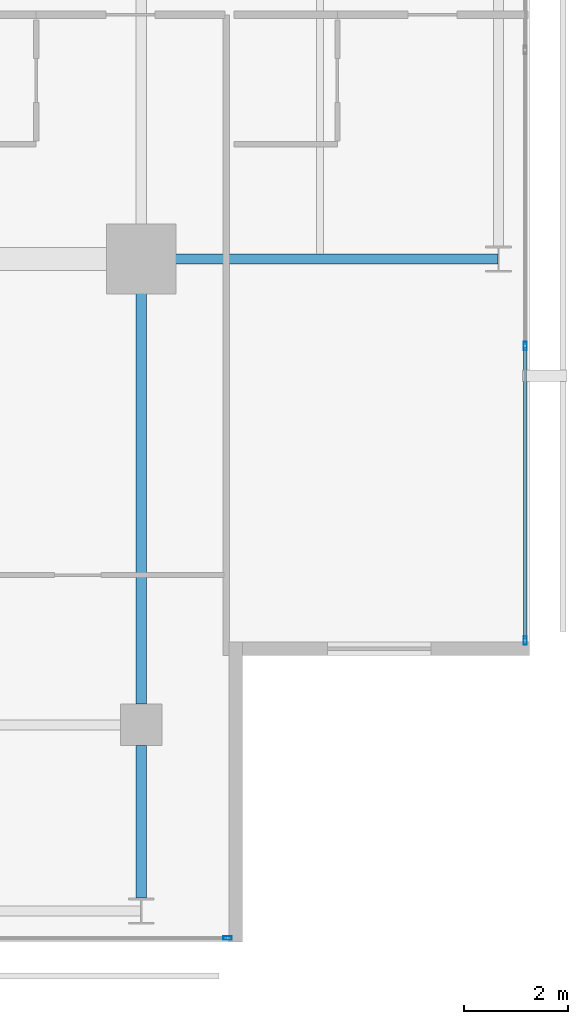
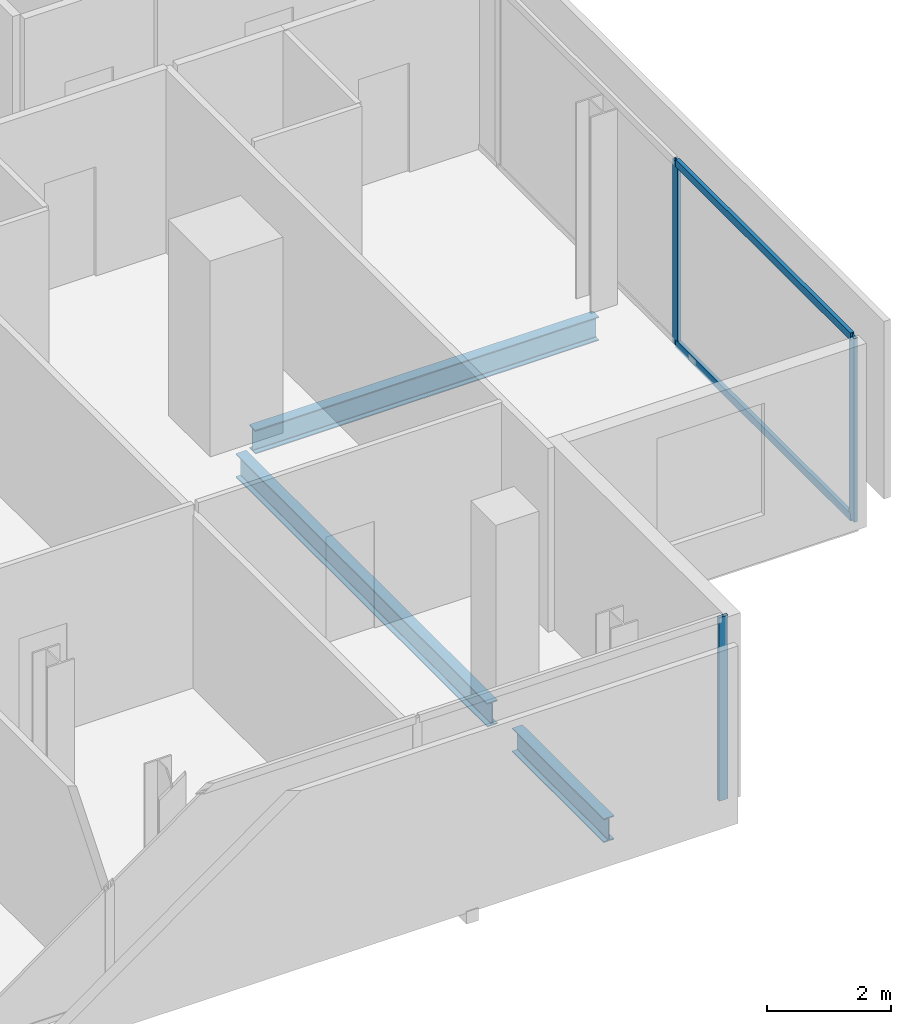
# One storey, part 11 of 24: 5 members, 3 beams, 2 elements without a shape of their own.
"""IFC4 building model written with IfcOpenShell, lengths in metres."""

from ifc_helpers import new_model, si_unit, direction, frame, origin, origin_2d, place, context, subcontext, project, spatial, hollow_rectangle, i_section, extrude, material, layer, layer_set, material_profile, profile_set, type_object, element, aggregate, save


model = new_model("IFC4")

# Units and contexts
model_context = context("Model", 3, precision=1e-05, world=origin(), true_north=direction((0.0, 1.0)))
body_context = subcontext(model_context, "Body", "Model", "MODEL_VIEW")
ifc_project = project(units=[si_unit("LENGTHUNIT", "METRE"), si_unit("AREAUNIT", "SQUARE_METRE"), si_unit("VOLUMEUNIT", "CUBIC_METRE"), si_unit("PLANEANGLEUNIT", "RADIAN"), si_unit("MASSUNIT", "GRAM", prefix="KILO")], contexts=[model_context])

# Site, building, storey
site_placement = place(None, origin())
site = spatial("IfcSite", under=ifc_project, at=site_placement, CompositionType="ELEMENT")
building_placement = place(site_placement, origin())
building = spatial("IfcBuilding", under=site, at=building_placement, Name="Maruvema Waterfront Hotel and Observation Tower", CompositionType="ELEMENT")
storey_placement = place(building_placement, frame((0.0, 0.0, 333.550048828125)))
storey = spatial("IfcBuildingStorey", under=building, at=storey_placement, Name="L82", CompositionType="ELEMENT", Elevation=333.550048828125)

# Curtain wall, members
ifc_material_1 = material(Name="Anodised bronze aluminium and solar-control low-E IGU", Category="aluminium")
ifc_layer = layer(ifc_material_1, 0.159912109375, Name="Zone 4 Sky Residence Inner Curtain Wall System CW-05")
ifc_layer_set = layer_set([ifc_layer], Name="Anodised bronze aluminium and solar-control low-E IGU")
curtain_wall_type = type_object("IfcCurtainWallType", Name="Zone 4 Sky Residence Inner Curtain Wall System CW-05", PredefinedType="USERDEFINED", material=ifc_layer_set)
curtain_wall_1_placement = place(storey_placement, origin())
curtain_wall_1 = element("IfcCurtainWall", 1, at=curtain_wall_1_placement, inside=storey, type_object=curtain_wall_type, Name="L82 Curtain Wall CW-L82-E", ObjectType="UNITISED CURTAIN WALL", PredefinedType="USERDEFINED")
ifc_material_2 = material(Name="Anodised architectural bronze aluminium", Category="aluminium")
ifc_material_profile_1 = material_profile(ifc_material_2, hollow_rectangle(XDim=0.070068359375, YDim=0.14990234375, WallThickness=0.00390625, at=origin_2d()), Name="ALU-T70x150")
ifc_profile_set_1 = profile_set([ifc_material_profile_1], Name="Anodised architectural bronze aluminium")
member_type_1 = type_object("IfcMemberType", Name="Curtain Wall Horizontal Transom ALU-T70x150", PredefinedType="USERDEFINED", material=ifc_profile_set_1)
member_1_placement = place(storey_placement, frame((57.820068359375, 19.659912109375, 0.030029296875), z_axis=(0.0, 1.0, 0.0), x_axis=(-1.0, 0.0, 0.0)))
member_1 = element("IfcMember", 2, at=member_1_placement, type_object=member_type_1, Name="CW-05 transom 1.1", ObjectType="TRANSOM", PredefinedType="USERDEFINED", context=body_context, shape_type="SweptSolid", body=[
    extrude(hollow_rectangle(XDim=0.070068359375, YDim=0.14990234375, WallThickness=0.00390625, at=origin_2d()), origin(), (0.0, 0.0, 1.0), 5.630126953125),
])
member_2_placement = place(storey_placement, frame((57.820068359375, 19.659912109375, 3.579833984375), z_axis=(0.0, 1.0, 0.0), x_axis=(-1.0, 0.0, 0.0)))
member_2 = element("IfcMember", 3, at=member_2_placement, type_object=member_type_1, Name="CW-05 transom 1.2", ObjectType="TRANSOM", PredefinedType="USERDEFINED", context=body_context, shape_type="SweptSolid", body=[
    extrude(hollow_rectangle(XDim=0.070068359375, YDim=0.14990234375, WallThickness=0.00390625, at=origin_2d()), origin(), (0.0, 0.0, 1.0), 5.630126953125),
])

# Curtain wall, member
curtain_wall_2_placement = place(storey_placement, origin())
curtain_wall_2 = element("IfcCurtainWall", 4, at=curtain_wall_2_placement, inside=storey, type_object=curtain_wall_type, Name="L82 Curtain Wall CW-L82-S", ObjectType="UNITISED CURTAIN WALL", PredefinedType="USERDEFINED")
ifc_material_3 = material(Name="Anodised architectural bronze aluminium", Category="aluminium")
ifc_material_profile_2 = material_profile(ifc_material_3, hollow_rectangle(XDim=0.06494140625, YDim=0.1650390625, WallThickness=0.00390625, at=origin_2d()), Name="ALU-M65x165")
ifc_profile_set_2 = profile_set([ifc_material_profile_2], Name="Anodised architectural bronze aluminium")
member_type_2 = type_object("IfcMemberType", Name="Curtain Wall Primary Mullion ALU-M65x165", PredefinedType="MULLION", material=ifc_profile_set_2)
member_3_placement = place(storey_placement, frame((52.070068359375, 13.8798828125, 0.0), z_axis=(0.0, 0.0, 1.0), x_axis=(0.0, 1.0, 0.0)))
member_3 = element("IfcMember", 5, at=member_3_placement, type_object=member_type_2, Name="CW-05 mullion 6", PredefinedType="MULLION", context=body_context, shape_type="SweptSolid", body=[
    extrude(hollow_rectangle(XDim=0.06494140625, YDim=0.1650390625, WallThickness=0.00390625, at=origin_2d()), origin(), (0.0, 0.0, 1.0), 3.60986328125),
])
aggregate(curtain_wall_2, [member_3])

# Member
member_4_placement = place(storey_placement, frame((57.820068359375, 19.6298828125, 0.0), z_axis=(0.0, 0.0, 1.0), x_axis=(-1.0, 0.0, 0.0)))
member_4 = element("IfcMember", 6, at=member_4_placement, type_object=member_type_2, Name="CW-05 mullion 1", PredefinedType="MULLION", context=body_context, shape_type="SweptSolid", body=[
    extrude(hollow_rectangle(XDim=0.06494140625, YDim=0.1650390625, WallThickness=0.00390625, at=origin_2d()), origin(), (0.0, 0.0, 1.0), 3.60986328125),
])

member_5_placement = place(storey_placement, frame((57.820068359375, 25.320068359375, 0.0), z_axis=(0.0, 0.0, 1.0), x_axis=(-1.0, 0.0, 0.0)))
member_5 = element("IfcMember", 7, at=member_5_placement, type_object=member_type_2, Name="CW-05 mullion 2", PredefinedType="MULLION", context=body_context, shape_type="SweptSolid", body=[
    extrude(hollow_rectangle(XDim=0.06494140625, YDim=0.1650390625, WallThickness=0.00390625, at=origin_2d()), origin(), (0.0, 0.0, 1.0), 3.60986328125),
])

aggregate(curtain_wall_1, [member_4, member_5, member_1, member_2])

# Beams
ifc_material_4 = material(Name="Steel ASTM A572 Grade 50", Category="steel")
ifc_material_profile_3 = material_profile(ifc_material_4, i_section(OverallWidth=0.194091796875, OverallDepth=0.468994140625, WebThickness=0.0126953125, FlangeThickness=0.0205078125, FilletRadius=0.014892578125, at=origin_2d()), Name="W460x106.0")
ifc_profile_set_3 = profile_set([ifc_material_profile_3], Name="Steel ASTM A572 Grade 50")
beam_type = type_object("IfcBeamType", Name="Primary Floor Girder W460x106.0", PredefinedType="BEAM", material=ifc_profile_set_3)
beam_1_placement = place(storey_placement, frame((50.89990234375, 27.0, -0.474609375), z_axis=(1.0, 0.0, 0.0), x_axis=(0.0, 1.0, 0.0)))
element("IfcBeam", 8, at=beam_1_placement, inside=storey, type_object=beam_type, Name="L82 Floor Girder EW-09", PredefinedType="BEAM", context=body_context, shape_type="SweptSolid", body=[
    extrude(i_section(OverallWidth=0.194091796875, OverallDepth=0.468994140625, WebThickness=0.0126953125, FlangeThickness=0.0205078125, FilletRadius=0.014892578125, at=origin_2d()), origin(), (0.0, 0.0, 1.0), 6.38916015625),
])
beam_2_placement = place(storey_placement, frame((50.39990234375, 14.64990234375, -0.474609375), z_axis=(0.0, 1.0, 0.0), x_axis=(-1.0, 0.0, 0.0)))
element("IfcBeam", 9, at=beam_2_placement, inside=storey, type_object=beam_type, Name="L82 Floor Girder NS-11", PredefinedType="BEAM", context=body_context, shape_type="SweptSolid", body=[
    extrude(i_section(OverallWidth=0.194091796875, OverallDepth=0.468994140625, WebThickness=0.0126953125, FlangeThickness=0.0205078125, FilletRadius=0.014892578125, at=origin_2d()), origin(), (0.0, 0.0, 1.0), 2.9501953125),
])
beam_3_placement = place(storey_placement, frame((50.39990234375, 18.39990234375, -0.474609375), z_axis=(0.0, 1.0, 0.0), x_axis=(-1.0, 0.0, 0.0)))
element("IfcBeam", 10, at=beam_3_placement, inside=storey, type_object=beam_type, Name="L82 Floor Girder NS-12", PredefinedType="BEAM", context=body_context, shape_type="SweptSolid", body=[
    extrude(i_section(OverallWidth=0.194091796875, OverallDepth=0.468994140625, WebThickness=0.0126953125, FlangeThickness=0.0205078125, FilletRadius=0.014892578125, at=origin_2d()), origin(), (0.0, 0.0, 1.0), 8.10009765625),
])

save(model, "model.ifc")
